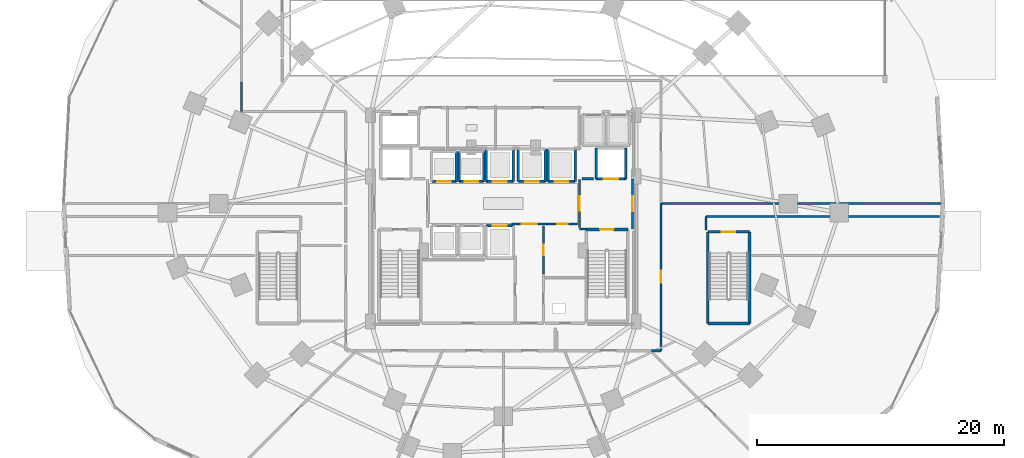
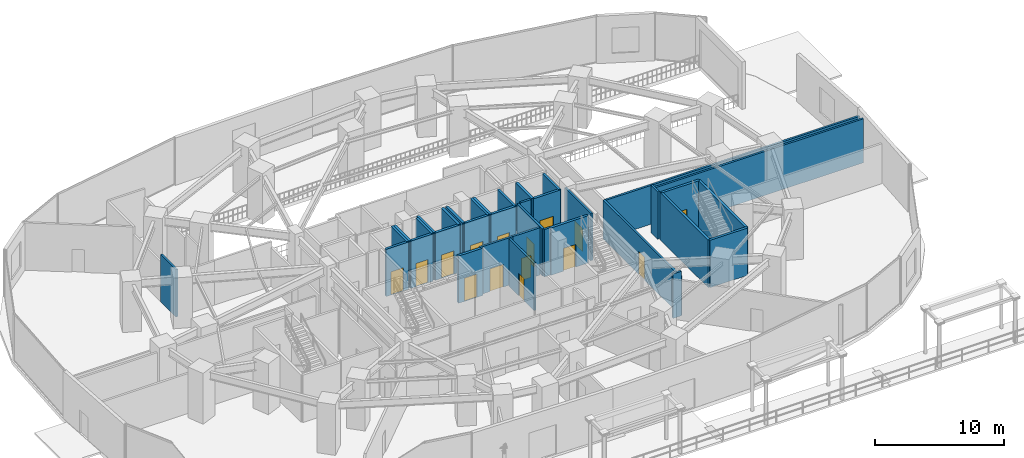
# One storey, part 28 of 36: 36 walls, 15 doors, 15 openings.
"""IFC4 building model written with IfcOpenShell, lengths in metres."""

from ifc_helpers import new_model, si_unit, direction, frame, frame_2d, origin, place, context, subcontext, project, spatial, rectangle, extrude, material, layer, layer_set, type_object, element, fill, save


model = new_model("IFC4")

# Units and contexts
model_context = context("Model", 3, precision=1e-05, world=origin(), true_north=direction((0.0, 1.0)))
body_context = subcontext(model_context, "Body", "Model", "MODEL_VIEW")
ifc_project = project(units=[si_unit("LENGTHUNIT", "METRE"), si_unit("AREAUNIT", "SQUARE_METRE"), si_unit("VOLUMEUNIT", "CUBIC_METRE"), si_unit("PLANEANGLEUNIT", "RADIAN"), si_unit("MASSUNIT", "GRAM", prefix="KILO")], contexts=[model_context])

# Site, building, storey
site_placement = place(None, origin())
site = spatial("IfcSite", under=ifc_project, at=site_placement, CompositionType="ELEMENT")
building_placement = place(site_placement, origin())
building = spatial("IfcBuilding", under=site, at=building_placement, Name="Vorneva Point Tower", CompositionType="ELEMENT")
storey_placement = place(building_placement, origin())
storey = spatial("IfcBuildingStorey", under=building, at=storey_placement, Name="L00", CompositionType="ELEMENT", Elevation=0.0)

# Wall, opening, door
ifc_material_1 = material(Name="Concrete B60 (C50/60)", Category="concrete")
ifc_layer_1 = layer(ifc_material_1, 0.5)
ifc_layer_set_1 = layer_set([ifc_layer_1], Name="Concrete B60 (C50/60)")
wall_type_1 = type_object("IfcWallType", Name="WL-CORE-500", PredefinedType="SHEAR", material=ifc_layer_set_1)
wall_1_placement = place(storey_placement, frame((45.5, 28.0, 0.0), z_axis=(0.0, 0.0, 1.0), x_axis=(1.0, 0.0, 0.0)))
wall_1 = element("IfcWall", 1, at=wall_1_placement, inside=storey, type_object=wall_type_1, Name="L00 Lift FFL2 Shaft Wall -Y", PredefinedType="SHEAR", context=body_context, shape_type="SweptSolid", body=[
    extrude(rectangle(XDim=2.39990234375, YDim=0.219970703125, at=frame_2d((1.199951171875, 0.0))), origin(), (0.0, 0.0, 1.0), 4.47998046875),
])
opening_1_placement = place(wall_1_placement, frame((0.60009765625, 0.0, 0.0)))
opening_1 = element("IfcOpeningElement", 2, at=opening_1_placement, cuts=wall_1, Name="Opening LD-02", PredefinedType="OPENING", context=body_context, shape_type="SweptSolid", body=[
    extrude(rectangle(XDim=1.199951171875, YDim=2.199951171875, at=frame_2d((0.60009765625, 1.10009765625))), frame((0.0, 0.125, 0.0), z_axis=(0.0, -1.0, 0.0), x_axis=(1.0, 0.0, 0.0)), (0.0, 0.0, 1.0), 0.249755859375),
])
ifc_material_2 = material(Name="Brushed stainless steel S304", Category="steel")
door_type_1 = type_object("IfcDoorType", Name="LD-FIRE-1200", OperationType="SLIDING_TO_LEFT", PredefinedType="DOOR", material=ifc_material_2)
door_1_placement = place(opening_1_placement, origin())
door_1 = element("IfcDoor", 3, at=door_1_placement, inside=storey, type_object=door_type_1, Name="L00 Lift FFL2 Sliding Landing Door", OperationType="SLIDING_TO_LEFT", OverallHeight=2.199951171875, OverallWidth=1.199951171875, PredefinedType="DOOR", context=body_context, shape_type="SweptSolid", body=[
    extrude(rectangle(XDim=1.199951171875, YDim=2.199951171875, at=frame_2d((0.60009765625, 1.10009765625))), frame((0.0, 0.02490234375, 0.0), z_axis=(0.0, -1.0, 0.0), x_axis=(1.0, 0.0, 0.0)), (0.0, 0.0, 1.0), 0.050048828125),
])
fill(opening_1, door_1)

# Walls
for number, where, z_axis, x_axis, name in (
    (4, (47.89990234375, 28.0, 0.0), (0.0, 0.0, 1.0), (0.0, 1.0, 0.0), "L00 Lift FFL2 Shaft Wall +X"),
    (5, (45.5, 30.5, 0.0), (0.0, 0.0, 1.0), (0.0, -1.0, 0.0), "L00 Lift FFL2 Shaft Wall -X"),
):
    element("IfcWall", number, at=place(storey_placement, frame(where, z_axis=z_axis, x_axis=x_axis)), inside=storey, type_object=wall_type_1, Name=name, PredefinedType="SHEAR", context=body_context, shape_type="SweptSolid", body=[
        extrude(rectangle(XDim=2.5, YDim=0.219970703125, at=frame_2d((1.25, 0.0))), origin(), (0.0, 0.0, 1.0), 4.47998046875),
    ])

# Wall, opening, door
ifc_material_3 = material(Name="Autoclaved aerated concrete blockwork", Category="masonry")
ifc_layer_2 = layer(ifc_material_3, 0.179931640625)
ifc_layer_set_2 = layer_set([ifc_layer_2], Name="Autoclaved aerated concrete blockwork")
wall_type_2 = type_object("IfcWallType", Name="WL-PART-180", PredefinedType="PARTITIONING", material=ifc_layer_set_2)
wall_2_placement = place(storey_placement, frame((44.14990234375, 27.955078125, 0.0), z_axis=(0.0, 0.0, 1.0), x_axis=(0.0, -1.0, 0.0)))
wall_2 = element("IfcWall", 6, at=wall_2_placement, inside=storey, type_object=wall_type_2, Name="L00 Interior Partition 003", PredefinedType="PARTITIONING", context=body_context, shape_type="SweptSolid", body=[
    extrude(rectangle(XDim=3.91015625, YDim=0.179931640625, at=frame_2d((1.955078125, 0.0))), origin(), (0.0, 0.0, 1.0), 4.47998046875),
])
opening_2_placement = place(wall_2_placement, frame((1.35498046875, 0.0, 0.0)))
opening_2 = element("IfcOpeningElement", 7, at=opening_2_placement, cuts=wall_2, Name="Opening FD-02", PredefinedType="OPENING", context=body_context, shape_type="SweptSolid", body=[
    extrude(rectangle(XDim=1.199951171875, YDim=2.14990234375, at=frame_2d((0.60009765625, 1.074951171875))), frame((0.0, 0.10498046875, 0.0), z_axis=(0.0, -1.0, 0.0), x_axis=(1.0, 0.0, 0.0)), (0.0, 0.0, 1.0), 0.209716796875),
])
ifc_material_4 = material(Name="Fire-rated powder-coated steel", Category="steel")
door_type_2 = type_object("IfcDoorType", Name="DR-FFL-1200", OperationType="NOTDEFINED", PredefinedType="DOOR", material=ifc_material_4)
door_2_placement = place(opening_2_placement, origin())
door_2 = element("IfcDoor", 8, at=door_2_placement, inside=storey, type_object=door_type_2, Name="L00 Door East Firefighting Lobby / Central Lift Lobby", OperationType="SINGLE_SWING_LEFT", OverallHeight=2.14990234375, OverallWidth=1.199951171875, PredefinedType="DOOR", context=body_context, shape_type="SweptSolid", body=[
    extrude(rectangle(XDim=1.199951171875, YDim=2.14990234375, at=frame_2d((0.60009765625, 1.074951171875))), frame((0.0, 0.02490234375, 0.0), z_axis=(0.0, -1.0, 0.0), x_axis=(1.0, 0.0, 0.0)), (0.0, 0.0, 1.0), 0.050048828125),
])
fill(opening_2, door_2)

# Wall
wall_3_placement = place(storey_placement, frame((44.14990234375, 23.949951171875, 0.0), z_axis=(0.0, 0.0, 1.0), x_axis=(1.0, 0.0, 0.0)))
element("IfcWall", 9, at=wall_3_placement, inside=storey, type_object=wall_type_2, Name="L00 Interior Partition 004", PredefinedType="PARTITIONING", context=body_context, shape_type="SweptSolid", body=[
    extrude(rectangle(XDim=0.5400390625, YDim=0.179931640625, at=frame_2d((0.27001953125, 0.0))), origin(), (0.0, 0.0, 1.0), 4.47998046875),
])

# Wall, opening, door
wall_4_placement = place(storey_placement, frame((48.449951171875, 23.949951171875, 0.0), z_axis=(0.0, 0.0, 1.0), x_axis=(0.0, 1.0, 0.0)))
wall_4 = element("IfcWall", 10, at=wall_4_placement, inside=storey, type_object=wall_type_2, Name="L00 Interior Partition 005", PredefinedType="PARTITIONING", context=body_context, shape_type="SweptSolid", body=[
    extrude(rectangle(XDim=4.050048828125, YDim=0.179931640625, at=frame_2d((2.02490234375, 0.0))), origin(), (0.0, 0.0, 1.0), 4.47998046875),
])
opening_3_placement = place(wall_4_placement, frame((1.425048828125, 0.0, 0.0)))
opening_3 = element("IfcOpeningElement", 11, at=opening_3_placement, cuts=wall_4, Name="Opening FD-02", PredefinedType="OPENING", context=body_context, shape_type="SweptSolid", body=[
    extrude(rectangle(XDim=1.199951171875, YDim=2.14990234375, at=frame_2d((0.60009765625, 1.074951171875))), frame((0.0, 0.10498046875, 0.0), z_axis=(0.0, -1.0, 0.0), x_axis=(1.0, 0.0, 0.0)), (0.0, 0.0, 1.0), 0.209716796875),
])
door_3_placement = place(opening_3_placement, origin())
door_3 = element("IfcDoor", 12, at=door_3_placement, inside=storey, type_object=door_type_2, Name="L00 Door East Firefighting Lobby / L00 Circulation Corridor", OperationType="SINGLE_SWING_LEFT", OverallHeight=2.14990234375, OverallWidth=1.199951171875, PredefinedType="DOOR", context=body_context, shape_type="SweptSolid", body=[
    extrude(rectangle(XDim=1.199951171875, YDim=2.14990234375, at=frame_2d((0.60009765625, 1.074951171875))), frame((0.0, 0.02490234375, 0.0), z_axis=(0.0, -1.0, 0.0), x_axis=(1.0, 0.0, 0.0)), (0.0, 0.0, 1.0), 0.050048828125),
])
fill(opening_3, door_3)

wall_5_placement = place(storey_placement, frame((38.64501953125, 24.35009765625, 0.0), z_axis=(0.0, 0.0, 1.0), x_axis=(1.0, 0.0, 0.0)))
wall_5 = element("IfcWall", 13, at=wall_5_placement, inside=storey, type_object=wall_type_2, Name="L00 Interior Partition 009", PredefinedType="PARTITIONING", context=body_context, shape_type="SweptSolid", body=[
    extrude(rectangle(XDim=2.909912109375, YDim=0.179931640625, at=frame_2d((1.455078125, 0.0))), origin(), (0.0, 0.0, 1.0), 4.47998046875),
])
opening_4_placement = place(wall_5_placement, frame((0.85498046875, 0.0, 0.0)))
opening_4 = element("IfcOpeningElement", 14, at=opening_4_placement, cuts=wall_5, Name="Opening FD-02", PredefinedType="OPENING", context=body_context, shape_type="SweptSolid", body=[
    extrude(rectangle(XDim=1.199951171875, YDim=2.14990234375, at=frame_2d((0.60009765625, 1.074951171875))), frame((0.0, 0.10498046875, 0.0), z_axis=(0.0, -1.0, 0.0), x_axis=(1.0, 0.0, 0.0)), (0.0, 0.0, 1.0), 0.209716796875),
])
door_4_placement = place(opening_4_placement, origin())
door_4 = element("IfcDoor", 15, at=door_4_placement, inside=storey, type_object=door_type_2, Name="L00 Door Central Lift Lobby / Core Service Lobby", OperationType="SINGLE_SWING_RIGHT", OverallHeight=2.14990234375, OverallWidth=1.199951171875, PredefinedType="DOOR", context=body_context, shape_type="SweptSolid", body=[
    extrude(rectangle(XDim=1.199951171875, YDim=2.14990234375, at=frame_2d((0.60009765625, 1.074951171875))), frame((0.0, 0.02490234375, 0.0), z_axis=(0.0, -1.0, 0.0), x_axis=(1.0, 0.0, 0.0)), (0.0, 0.0, 1.0), 0.050048828125),
])
fill(opening_4, door_4)

wall_6_placement = place(storey_placement, frame((41.554931640625, 24.35009765625, 0.0), z_axis=(0.0, 0.0, 1.0), x_axis=(1.0, 0.0, 0.0)))
wall_6 = element("IfcWall", 16, at=wall_6_placement, inside=storey, type_object=wall_type_2, Name="L00 Interior Partition 010", PredefinedType="PARTITIONING", context=body_context, shape_type="SweptSolid", body=[
    extrude(rectangle(XDim=2.445068359375, YDim=0.179931640625, at=frame_2d((1.22265625, 0.0))), origin(), (0.0, 0.0, 1.0), 4.47998046875),
])
opening_5_placement = place(wall_6_placement, frame((0.797607421875, 0.0, 0.0)))
opening_5 = element("IfcOpeningElement", 17, at=opening_5_placement, cuts=wall_6, Name="Opening ID-02", PredefinedType="OPENING", context=body_context, shape_type="SweptSolid", body=[
    extrude(rectangle(XDim=0.85009765625, YDim=2.10009765625, at=frame_2d((0.425048828125, 1.050048828125))), frame((0.0, 0.10498046875, 0.0), z_axis=(0.0, -1.0, 0.0), x_axis=(1.0, 0.0, 0.0)), (0.0, 0.0, 1.0), 0.209716796875),
])
ifc_material_5 = material(Name="Engineered oak fire-rated door leaf", Category="wood")
door_type_3 = type_object("IfcDoorType", Name="DR-BATH-850", OperationType="NOTDEFINED", PredefinedType="DOOR", material=ifc_material_5)
door_5_placement = place(opening_5_placement, origin())
door_5 = element("IfcDoor", 18, at=door_5_placement, inside=storey, type_object=door_type_3, Name="L00 Door Central Lift Lobby / Cleaners Store", OperationType="SINGLE_SWING_LEFT", OverallHeight=2.10009765625, OverallWidth=0.85009765625, PredefinedType="DOOR", context=body_context, shape_type="SweptSolid", body=[
    extrude(rectangle(XDim=0.85009765625, YDim=2.10009765625, at=frame_2d((0.425048828125, 1.050048828125))), frame((0.0, 0.02490234375, 0.0), z_axis=(0.0, -1.0, 0.0), x_axis=(1.0, 0.0, 0.0)), (0.0, 0.0, 1.0), 0.050048828125),
])
fill(opening_5, door_5)

wall_7_placement = place(storey_placement, frame((41.25, 20.304931640625, 0.0), z_axis=(0.0, 0.0, 1.0), x_axis=(0.0, 1.0, 0.0)))
wall_7 = element("IfcWall", 19, at=wall_7_placement, inside=storey, type_object=wall_type_2, Name="L00 Interior Partition 012", PredefinedType="PARTITIONING", context=body_context, shape_type="SweptSolid", body=[
    extrude(rectangle(XDim=3.89501953125, YDim=0.179931640625, at=frame_2d((1.947509765625, 0.0))), origin(), (0.0, 0.0, 1.0), 4.47998046875),
])
opening_6_placement = place(wall_7_placement, frame((1.5224609375, 0.0, 0.0)))
opening_6 = element("IfcOpeningElement", 20, at=opening_6_placement, cuts=wall_7, Name="Opening ID-02", PredefinedType="OPENING", context=body_context, shape_type="SweptSolid", body=[
    extrude(rectangle(XDim=0.85009765625, YDim=2.10009765625, at=frame_2d((0.425048828125, 1.050048828125))), frame((0.0, 0.10498046875, 0.0), z_axis=(0.0, -1.0, 0.0), x_axis=(1.0, 0.0, 0.0)), (0.0, 0.0, 1.0), 0.209716796875),
])
door_6_placement = place(opening_6_placement, origin())
door_6 = element("IfcDoor", 21, at=door_6_placement, inside=storey, type_object=door_type_3, Name="L00 Door Core Service Lobby / Cleaners Store", OperationType="SINGLE_SWING_LEFT", OverallHeight=2.10009765625, OverallWidth=0.85009765625, PredefinedType="DOOR", context=body_context, shape_type="SweptSolid", body=[
    extrude(rectangle(XDim=0.85009765625, YDim=2.10009765625, at=frame_2d((0.425048828125, 1.050048828125))), frame((0.0, 0.02490234375, 0.0), z_axis=(0.0, -1.0, 0.0), x_axis=(1.0, 0.0, 0.0)), (0.0, 0.0, 1.0), 0.050048828125),
])
fill(opening_6, door_6)

# Wall
wall_8_placement = place(storey_placement, frame((49.985107421875, 14.10009765625, 0.0), z_axis=(0.0, 0.0, 1.0), x_axis=(1.0, 0.0, 0.0)))
element("IfcWall", 22, at=wall_8_placement, inside=storey, type_object=wall_type_2, Name="L00 Interior Partition 030", PredefinedType="PARTITIONING", context=body_context, shape_type="SweptSolid", body=[
    extrude(rectangle(XDim=0.764892578125, YDim=0.179931640625, at=frame_2d((0.38232421875, 0.0))), origin(), (0.0, 0.0, 1.0), 4.2119140625),
])

# Wall, opening, door
wall_9_placement = place(storey_placement, frame((50.75, 14.10009765625, 0.0), z_axis=(0.0, 0.0, 1.0), x_axis=(0.0, 1.0, 0.0)))
wall_9 = element("IfcWall", 23, at=wall_9_placement, inside=storey, type_object=wall_type_2, Name="L00 Interior Partition 031", PredefinedType="PARTITIONING", context=body_context, shape_type="SweptSolid", body=[
    extrude(rectangle(XDim=11.9599609375, YDim=0.179931640625, at=frame_2d((5.97998046875, 0.0))), origin(), (0.0, 0.0, 1.0), 3.672119140625),
])
opening_7_placement = place(wall_9_placement, frame((5.47998046875, 0.0, 0.0)))
opening_7 = element("IfcOpeningElement", 24, at=opening_7_placement, cuts=wall_9, Name="Opening UD-01", PredefinedType="OPENING", context=body_context, shape_type="SweptSolid", body=[
    extrude(rectangle(XDim=1.0, YDim=2.14990234375, at=frame_2d((0.5, 1.074951171875))), frame((0.0, 0.10498046875, 0.0), z_axis=(0.0, -1.0, 0.0), x_axis=(1.0, 0.0, 0.0)), (0.0, 0.0, 1.0), 0.209716796875),
])
door_type_4 = type_object("IfcDoorType", Name="DR-UNIT-1000", OperationType="NOTDEFINED", PredefinedType="DOOR", material=ifc_material_5)
door_7_placement = place(opening_7_placement, origin())
door_7 = element("IfcDoor", 25, at=door_7_placement, inside=storey, type_object=door_type_4, Name="L00 Door L00 Circulation Corridor / Harbour Restaurant", OperationType="SINGLE_SWING_LEFT", OverallHeight=2.14990234375, OverallWidth=1.0, PredefinedType="DOOR", context=body_context, shape_type="SweptSolid", body=[
    extrude(rectangle(XDim=1.0, YDim=2.14990234375, at=frame_2d((0.5, 1.074951171875))), frame((0.0, 0.02490234375, 0.0), z_axis=(0.0, -1.0, 0.0), x_axis=(1.0, 0.0, 0.0)), (0.0, 0.0, 1.0), 0.050048828125),
])
fill(opening_7, door_7)

# Walls
wall_10_placement = place(storey_placement, frame((16.800048828125, 35.85009765625, 0.0), z_axis=(0.0, 0.0, 1.0), x_axis=(0.0, -1.0, 0.0)))
element("IfcWall", 26, at=wall_10_placement, inside=storey, type_object=wall_type_2, Name="L00 Interior Partition 038", PredefinedType="PARTITIONING", context=body_context, shape_type="SweptSolid", body=[
    extrude(rectangle(XDim=2.400146484375, YDim=0.179931640625, at=frame_2d((1.2001953125, 0.0))), origin(), (0.0, 0.0, 1.0), 4.47998046875),
])
wall_11_placement = place(storey_placement, frame((73.577880859375, 26.0, 0.0), z_axis=(0.0, 0.0, 1.0), x_axis=(-1.0, 0.0, 0.0)))
element("IfcWall", 27, at=wall_11_placement, inside=storey, type_object=wall_type_2, Name="L00 Interior Partition 049", PredefinedType="PARTITIONING", context=body_context, shape_type="SweptSolid", body=[
    extrude(rectangle(XDim=22.827880859375, YDim=0.179931640625, at=frame_2d((11.4140625, 0.0))), origin(), (0.0, 0.0, 1.0), 3.672119140625),
])
wall_12_placement = place(storey_placement, frame((45.280029296875, 28.0, 0.0), z_axis=(0.0, 0.0, 1.0), x_axis=(-1.0, 0.0, 0.0)))
element("IfcWall", 28, at=wall_12_placement, inside=storey, type_object=wall_type_2, Name="L00 Interior Closure Partition 052", PredefinedType="PARTITIONING", context=body_context, shape_type="SweptSolid", body=[
    extrude(rectangle(XDim=0.9150390625, YDim=0.179931640625, at=frame_2d((0.45751953125, 0.0))), origin(), (0.0, 0.0, 1.0), 4.47998046875),
])
wall_13_placement = place(storey_placement, frame((54.39990234375, 24.949951171875, 0.0), z_axis=(0.0, 0.0, 1.0), x_axis=(0.0, -1.0, 0.0)))
element("IfcWall", 29, at=wall_13_placement, inside=storey, type_object=wall_type_2, Name="L00 Interior Closure Partition 074", PredefinedType="PARTITIONING", context=body_context, shape_type="SweptSolid", body=[
    extrude(rectangle(XDim=1.070068359375, YDim=0.179931640625, at=frame_2d((0.53515625, 0.0))), origin(), (0.0, 0.0, 1.0), 4.47998046875),
])
wall_14_placement = place(storey_placement, frame((73.2880859375, 24.949951171875, 0.0), z_axis=(0.0, 0.0, 1.0), x_axis=(-1.0, 0.0, 0.0)))
element("IfcWall", 30, at=wall_14_placement, inside=storey, type_object=wall_type_2, Name="L00 Interior Closure Partition 076", PredefinedType="PARTITIONING", context=body_context, shape_type="SweptSolid", body=[
    extrude(rectangle(XDim=18.88818359375, YDim=0.179931640625, at=frame_2d((9.444091796875, 0.0))), origin(), (0.0, 0.0, 1.0), 4.162109375),
])

# Wall, opening, door
ifc_material_6 = material(Name="Concrete B50 (C40/50)", Category="concrete")
ifc_layer_3 = layer(ifc_material_6, 0.219970703125)
ifc_layer_set_3 = layer_set([ifc_layer_3], Name="Concrete B50 (C40/50)")
wall_type_3 = type_object("IfcWallType", Name="WL-SHFT-220", PredefinedType="SOLIDWALL", material=ifc_layer_set_3)
wall_15_placement = place(storey_placement, frame((44.68994140625, 23.909912109375, 0.0), z_axis=(0.0, 0.0, 1.0), x_axis=(1.0, 0.0, 0.0)))
wall_15 = element("IfcWall", 31, at=wall_15_placement, inside=storey, type_object=wall_type_3, Name="L00 Exit Stair ST2 Shaft Wall near", PredefinedType="SOLIDWALL", context=body_context, shape_type="SweptSolid", body=[
    extrude(rectangle(XDim=3.3701171875, YDim=0.219970703125, at=frame_2d((1.68505859375, 0.0))), origin(), (0.0, 0.0, 1.0), 4.47998046875),
])
opening_8_placement = place(wall_15_placement, frame((1.135009765625, 0.0, 0.0)))
opening_8 = element("IfcOpeningElement", 32, at=opening_8_placement, cuts=wall_15, Name="Opening FD-01", PredefinedType="OPENING", context=body_context, shape_type="SweptSolid", body=[
    extrude(rectangle(XDim=1.10009765625, YDim=2.14990234375, at=frame_2d((0.550048828125, 1.074951171875))), frame((0.0, 0.125, 0.0), z_axis=(0.0, -1.0, 0.0), x_axis=(1.0, 0.0, 0.0)), (0.0, 0.0, 1.0), 0.249755859375),
])
door_type_5 = type_object("IfcDoorType", Name="DR-STAIR-1100", OperationType="NOTDEFINED", PredefinedType="DOOR", material=ifc_material_4)
door_8_placement = place(opening_8_placement, origin())
door_8 = element("IfcDoor", 33, at=door_8_placement, inside=storey, type_object=door_type_5, Name="L00 Exit Stair ST2 Fire Door", OperationType="SINGLE_SWING_LEFT", OverallHeight=2.14990234375, OverallWidth=1.10009765625, PredefinedType="DOOR", context=body_context, shape_type="SweptSolid", body=[
    extrude(rectangle(XDim=1.10009765625, YDim=2.14990234375, at=frame_2d((0.550048828125, 1.074951171875))), frame((0.0, 0.02490234375, 0.0), z_axis=(0.0, -1.0, 0.0), x_axis=(1.0, 0.0, 0.0)), (0.0, 0.0, 1.0), 0.050048828125),
])
fill(opening_8, door_8)

wall_16_placement = place(storey_placement, frame((54.5400390625, 23.7099609375, 0.0), z_axis=(0.0, 0.0, 1.0), x_axis=(1.0, 0.0, 0.0)))
wall_16 = element("IfcWall", 34, at=wall_16_placement, inside=storey, type_object=wall_type_3, Name="L00 Exit Stair ST4 Shaft Wall near", PredefinedType="SOLIDWALL", context=body_context, shape_type="SweptSolid", body=[
    extrude(rectangle(XDim=3.369873046875, YDim=0.219970703125, at=frame_2d((1.68505859375, 0.0))), origin(), (0.0, 0.0, 1.0), 4.47998046875),
])
opening_9_placement = place(wall_16_placement, frame((1.135009765625, 0.0, 0.0)))
opening_9 = element("IfcOpeningElement", 35, at=opening_9_placement, cuts=wall_16, Name="Opening FD-01", PredefinedType="OPENING", context=body_context, shape_type="SweptSolid", body=[
    extrude(rectangle(XDim=1.10009765625, YDim=2.14990234375, at=frame_2d((0.550048828125, 1.074951171875))), frame((0.0, 0.125, 0.0), z_axis=(0.0, -1.0, 0.0), x_axis=(1.0, 0.0, 0.0)), (0.0, 0.0, 1.0), 0.249755859375),
])
door_9_placement = place(opening_9_placement, origin())
door_9 = element("IfcDoor", 36, at=door_9_placement, inside=storey, type_object=door_type_5, Name="L00 Exit Stair ST4 Fire Door", OperationType="SINGLE_SWING_LEFT", OverallHeight=2.14990234375, OverallWidth=1.10009765625, PredefinedType="DOOR", context=body_context, shape_type="SweptSolid", body=[
    extrude(rectangle(XDim=1.10009765625, YDim=2.14990234375, at=frame_2d((0.550048828125, 1.074951171875))), frame((0.0, 0.02490234375, 0.0), z_axis=(0.0, -1.0, 0.0), x_axis=(1.0, 0.0, 0.0)), (0.0, 0.0, 1.0), 0.050048828125),
])
fill(opening_9, door_9)

# Walls
wall_17_placement = place(storey_placement, frame((57.909912109375, 23.7099609375, 0.0), z_axis=(0.0, 0.0, 1.0), x_axis=(0.0, -1.0, 0.0)))
element("IfcWall", 37, at=wall_17_placement, inside=storey, type_object=wall_type_3, Name="L00 Exit Stair ST4 Shaft Wall right", PredefinedType="SOLIDWALL", context=body_context, shape_type="SweptSolid", body=[
    extrude(rectangle(XDim=7.419921875, YDim=0.219970703125, at=frame_2d((3.7099609375, 0.0))), origin(), (0.0, 0.0, 1.0), 4.47998046875),
])
wall_18_placement = place(storey_placement, frame((57.909912109375, 16.2900390625, 0.0), z_axis=(0.0, 0.0, 1.0), x_axis=(-1.0, 0.0, 0.0)))
element("IfcWall", 38, at=wall_18_placement, inside=storey, type_object=wall_type_3, Name="L00 Exit Stair ST4 Shaft Wall far", PredefinedType="SOLIDWALL", context=body_context, shape_type="SweptSolid", body=[
    extrude(rectangle(XDim=3.369873046875, YDim=0.219970703125, at=frame_2d((1.68505859375, 0.0))), origin(), (0.0, 0.0, 1.0), 4.47998046875),
])
wall_19_placement = place(storey_placement, frame((54.5400390625, 16.2900390625, 0.0), z_axis=(0.0, 0.0, 1.0), x_axis=(0.0, 1.0, 0.0)))
element("IfcWall", 39, at=wall_19_placement, inside=storey, type_object=wall_type_3, Name="L00 Exit Stair ST4 Shaft Wall left", PredefinedType="SOLIDWALL", context=body_context, shape_type="SweptSolid", body=[
    extrude(rectangle(XDim=7.419921875, YDim=0.219970703125, at=frame_2d((3.7099609375, 0.0))), origin(), (0.0, 0.0, 1.0), 4.47998046875),
])

# Wall, opening, door
wall_20_placement = place(storey_placement, frame((32.199951171875, 27.800048828125, 0.0), z_axis=(0.0, 0.0, 1.0), x_axis=(1.0, 0.0, 0.0)))
wall_20 = element("IfcWall", 40, at=wall_20_placement, inside=storey, type_object=wall_type_3, Name="L00 Lift PL1 Shaft Wall -Y", PredefinedType="SOLIDWALL", context=body_context, shape_type="SweptSolid", body=[
    extrude(rectangle(XDim=2.0, YDim=0.219970703125, at=frame_2d((1.0, 0.0))), origin(), (0.0, 0.0, 1.0), 4.47998046875),
])
opening_10_placement = place(wall_20_placement, frame((0.449951171875, 0.0, 0.0)))
opening_10 = element("IfcOpeningElement", 41, at=opening_10_placement, cuts=wall_20, Name="Opening LD-01", PredefinedType="OPENING", context=body_context, shape_type="SweptSolid", body=[
    extrude(rectangle(XDim=1.10009765625, YDim=2.199951171875, at=frame_2d((0.550048828125, 1.10009765625))), frame((0.0, 0.125, 0.0), z_axis=(0.0, -1.0, 0.0), x_axis=(1.0, 0.0, 0.0)), (0.0, 0.0, 1.0), 0.249755859375),
])
door_type_6 = type_object("IfcDoorType", Name="LD-PASS-1100", OperationType="SLIDING_TO_LEFT", PredefinedType="DOOR", material=ifc_material_2)
door_10_placement = place(opening_10_placement, origin())
door_10 = element("IfcDoor", 42, at=door_10_placement, inside=storey, type_object=door_type_6, Name="L00 Lift PL1 Sliding Landing Door", OperationType="SLIDING_TO_LEFT", OverallHeight=2.199951171875, OverallWidth=1.10009765625, PredefinedType="DOOR", context=body_context, shape_type="SweptSolid", body=[
    extrude(rectangle(XDim=1.10009765625, YDim=2.199951171875, at=frame_2d((0.550048828125, 1.10009765625))), frame((0.0, 0.02490234375, 0.0), z_axis=(0.0, -1.0, 0.0), x_axis=(1.0, 0.0, 0.0)), (0.0, 0.0, 1.0), 0.050048828125),
])
fill(opening_10, door_10)

# Wall
wall_21_placement = place(storey_placement, frame((34.199951171875, 27.800048828125, 0.0), z_axis=(0.0, 0.0, 1.0), x_axis=(0.0, 1.0, 0.0)))
element("IfcWall", 43, at=wall_21_placement, inside=storey, type_object=wall_type_3, Name="L00 Lift PL1 Shaft Wall +X", PredefinedType="SOLIDWALL", context=body_context, shape_type="SweptSolid", body=[
    extrude(rectangle(XDim=2.39990234375, YDim=0.219970703125, at=frame_2d((1.199951171875, 0.0))), origin(), (0.0, 0.0, 1.0), 4.47998046875),
])

# Wall, opening, door
wall_22_placement = place(storey_placement, frame((34.39990234375, 27.800048828125, 0.0), z_axis=(0.0, 0.0, 1.0), x_axis=(1.0, 0.0, 0.0)))
wall_22 = element("IfcWall", 44, at=wall_22_placement, inside=storey, type_object=wall_type_3, Name="L00 Lift PL2 Shaft Wall -Y", PredefinedType="SOLIDWALL", context=body_context, shape_type="SweptSolid", body=[
    extrude(rectangle(XDim=2.0, YDim=0.219970703125, at=frame_2d((1.0, 0.0))), origin(), (0.0, 0.0, 1.0), 4.47998046875),
])
opening_11_placement = place(wall_22_placement, frame((0.449951171875, 0.0, 0.0)))
opening_11 = element("IfcOpeningElement", 45, at=opening_11_placement, cuts=wall_22, Name="Opening LD-01", PredefinedType="OPENING", context=body_context, shape_type="SweptSolid", body=[
    extrude(rectangle(XDim=1.10009765625, YDim=2.199951171875, at=frame_2d((0.550048828125, 1.10009765625))), frame((0.0, 0.125, 0.0), z_axis=(0.0, -1.0, 0.0), x_axis=(1.0, 0.0, 0.0)), (0.0, 0.0, 1.0), 0.249755859375),
])
door_11_placement = place(opening_11_placement, origin())
door_11 = element("IfcDoor", 46, at=door_11_placement, inside=storey, type_object=door_type_6, Name="L00 Lift PL2 Sliding Landing Door", OperationType="SLIDING_TO_LEFT", OverallHeight=2.199951171875, OverallWidth=1.10009765625, PredefinedType="DOOR", context=body_context, shape_type="SweptSolid", body=[
    extrude(rectangle(XDim=1.10009765625, YDim=2.199951171875, at=frame_2d((0.550048828125, 1.10009765625))), frame((0.0, 0.02490234375, 0.0), z_axis=(0.0, -1.0, 0.0), x_axis=(1.0, 0.0, 0.0)), (0.0, 0.0, 1.0), 0.050048828125),
])
fill(opening_11, door_11)

# Walls
for number, where, z_axis, x_axis, name in (
    (47, (36.39990234375, 27.800048828125, 0.0), (0.0, 0.0, 1.0), (0.0, 1.0, 0.0), "L00 Lift PL2 Shaft Wall +X"),
    (48, (34.39990234375, 30.199951171875, 0.0), (0.0, 0.0, 1.0), (0.0, -1.0, 0.0), "L00 Lift PL2 Shaft Wall -X"),
):
    element("IfcWall", number, at=place(storey_placement, frame(where, z_axis=z_axis, x_axis=x_axis)), inside=storey, type_object=wall_type_3, Name=name, PredefinedType="SOLIDWALL", context=body_context, shape_type="SweptSolid", body=[
        extrude(rectangle(XDim=2.39990234375, YDim=0.219970703125, at=frame_2d((1.199951171875, 0.0))), origin(), (0.0, 0.0, 1.0), 4.47998046875),
    ])

# Wall, opening, door
wall_23_placement = place(storey_placement, frame((36.60009765625, 27.800048828125, 0.0), z_axis=(0.0, 0.0, 1.0), x_axis=(1.0, 0.0, 0.0)))
wall_23 = element("IfcWall", 49, at=wall_23_placement, inside=storey, type_object=wall_type_3, Name="L00 Lift PL3 Shaft Wall -Y", PredefinedType="SOLIDWALL", context=body_context, shape_type="SweptSolid", body=[
    extrude(rectangle(XDim=2.199951171875, YDim=0.219970703125, at=frame_2d((1.10009765625, 0.0))), origin(), (0.0, 0.0, 1.0), 4.47998046875),
])
opening_12_placement = place(wall_23_placement, frame((0.550048828125, 0.0, 0.0)))
opening_12 = element("IfcOpeningElement", 50, at=opening_12_placement, cuts=wall_23, Name="Opening LD-01", PredefinedType="OPENING", context=body_context, shape_type="SweptSolid", body=[
    extrude(rectangle(XDim=1.10009765625, YDim=2.199951171875, at=frame_2d((0.550048828125, 1.10009765625))), frame((0.0, 0.125, 0.0), z_axis=(0.0, -1.0, 0.0), x_axis=(1.0, 0.0, 0.0)), (0.0, 0.0, 1.0), 0.249755859375),
])
door_12_placement = place(opening_12_placement, origin())
door_12 = element("IfcDoor", 51, at=door_12_placement, inside=storey, type_object=door_type_6, Name="L00 Lift PL3 Sliding Landing Door", OperationType="SLIDING_TO_LEFT", OverallHeight=2.199951171875, OverallWidth=1.10009765625, PredefinedType="DOOR", context=body_context, shape_type="SweptSolid", body=[
    extrude(rectangle(XDim=1.10009765625, YDim=2.199951171875, at=frame_2d((0.550048828125, 1.10009765625))), frame((0.0, 0.02490234375, 0.0), z_axis=(0.0, -1.0, 0.0), x_axis=(1.0, 0.0, 0.0)), (0.0, 0.0, 1.0), 0.050048828125),
])
fill(opening_12, door_12)

# Walls
for number, where, z_axis, x_axis, name in (
    (52, (38.800048828125, 27.800048828125, 0.0), (0.0, 0.0, 1.0), (0.0, 1.0, 0.0), "L00 Lift PL3 Shaft Wall +X"),
    (53, (36.60009765625, 30.39990234375, 0.0), (0.0, 0.0, 1.0), (0.0, -1.0, 0.0), "L00 Lift PL3 Shaft Wall -X"),
):
    element("IfcWall", number, at=place(storey_placement, frame(where, z_axis=z_axis, x_axis=x_axis)), inside=storey, type_object=wall_type_3, Name=name, PredefinedType="SOLIDWALL", context=body_context, shape_type="SweptSolid", body=[
        extrude(rectangle(XDim=2.599853515625, YDim=0.219970703125, at=frame_2d((1.2998046875, 0.0))), origin(), (0.0, 0.0, 1.0), 4.47998046875),
    ])

# Wall, opening, door
wall_24_placement = place(storey_placement, frame((38.800048828125, 24.199951171875, 0.0), z_axis=(0.0, 0.0, 1.0), x_axis=(-1.0, 0.0, 0.0)))
wall_24 = element("IfcWall", 54, at=wall_24_placement, inside=storey, type_object=wall_type_3, Name="L00 Lift PL6 Shaft Wall +Y", PredefinedType="SOLIDWALL", context=body_context, shape_type="SweptSolid", body=[
    extrude(rectangle(XDim=2.199951171875, YDim=0.219970703125, at=frame_2d((1.10009765625, 0.0))), origin(), (0.0, 0.0, 1.0), 4.47998046875),
])
opening_13_placement = place(wall_24_placement, frame((0.550048828125, 0.0, 0.0)))
opening_13 = element("IfcOpeningElement", 55, at=opening_13_placement, cuts=wall_24, Name="Opening LD-01", PredefinedType="OPENING", context=body_context, shape_type="SweptSolid", body=[
    extrude(rectangle(XDim=1.10009765625, YDim=2.199951171875, at=frame_2d((0.550048828125, 1.10009765625))), frame((0.0, 0.125, 0.0), z_axis=(0.0, -1.0, 0.0), x_axis=(1.0, 0.0, 0.0)), (0.0, 0.0, 1.0), 0.249755859375),
])
door_13_placement = place(opening_13_placement, origin())
door_13 = element("IfcDoor", 56, at=door_13_placement, inside=storey, type_object=door_type_6, Name="L00 Lift PL6 Sliding Landing Door", OperationType="SLIDING_TO_LEFT", OverallHeight=2.199951171875, OverallWidth=1.10009765625, PredefinedType="DOOR", context=body_context, shape_type="SweptSolid", body=[
    extrude(rectangle(XDim=1.10009765625, YDim=2.199951171875, at=frame_2d((0.550048828125, 1.10009765625))), frame((0.0, 0.02490234375, 0.0), z_axis=(0.0, -1.0, 0.0), x_axis=(1.0, 0.0, 0.0)), (0.0, 0.0, 1.0), 0.050048828125),
])
fill(opening_13, door_13)

wall_25_placement = place(storey_placement, frame((39.199951171875, 27.800048828125, 0.0), z_axis=(0.0, 0.0, 1.0), x_axis=(1.0, 0.0, 0.0)))
wall_25 = element("IfcWall", 57, at=wall_25_placement, inside=storey, type_object=wall_type_3, Name="L00 Lift PL7 Shaft Wall -Y", PredefinedType="SOLIDWALL", context=body_context, shape_type="SweptSolid", body=[
    extrude(rectangle(XDim=2.199951171875, YDim=0.219970703125, at=frame_2d((1.10009765625, 0.0))), origin(), (0.0, 0.0, 1.0), 4.47998046875),
])
opening_14_placement = place(wall_25_placement, frame((0.550048828125, 0.0, 0.0)))
opening_14 = element("IfcOpeningElement", 58, at=opening_14_placement, cuts=wall_25, Name="Opening LD-01", PredefinedType="OPENING", context=body_context, shape_type="SweptSolid", body=[
    extrude(rectangle(XDim=1.10009765625, YDim=2.199951171875, at=frame_2d((0.550048828125, 1.10009765625))), frame((0.0, 0.125, 0.0), z_axis=(0.0, -1.0, 0.0), x_axis=(1.0, 0.0, 0.0)), (0.0, 0.0, 1.0), 0.249755859375),
])
door_14_placement = place(opening_14_placement, origin())
door_14 = element("IfcDoor", 59, at=door_14_placement, inside=storey, type_object=door_type_6, Name="L00 Lift PL7 Sliding Landing Door", OperationType="SLIDING_TO_LEFT", OverallHeight=2.199951171875, OverallWidth=1.10009765625, PredefinedType="DOOR", context=body_context, shape_type="SweptSolid", body=[
    extrude(rectangle(XDim=1.10009765625, YDim=2.199951171875, at=frame_2d((0.550048828125, 1.10009765625))), frame((0.0, 0.02490234375, 0.0), z_axis=(0.0, -1.0, 0.0), x_axis=(1.0, 0.0, 0.0)), (0.0, 0.0, 1.0), 0.050048828125),
])
fill(opening_14, door_14)

# Walls
for number, where, z_axis, x_axis, name in (
    (60, (41.39990234375, 27.800048828125, 0.0), (0.0, 0.0, 1.0), (0.0, 1.0, 0.0), "L00 Lift PL7 Shaft Wall +X"),
    (61, (39.199951171875, 30.39990234375, 0.0), (0.0, 0.0, 1.0), (0.0, -1.0, 0.0), "L00 Lift PL7 Shaft Wall -X"),
):
    element("IfcWall", number, at=place(storey_placement, frame(where, z_axis=z_axis, x_axis=x_axis)), inside=storey, type_object=wall_type_3, Name=name, PredefinedType="SOLIDWALL", context=body_context, shape_type="SweptSolid", body=[
        extrude(rectangle(XDim=2.599853515625, YDim=0.219970703125, at=frame_2d((1.2998046875, 0.0))), origin(), (0.0, 0.0, 1.0), 4.47998046875),
    ])

# Wall, opening, door
wall_26_placement = place(storey_placement, frame((41.60009765625, 27.800048828125, 0.0), z_axis=(0.0, 0.0, 1.0), x_axis=(1.0, 0.0, 0.0)))
wall_26 = element("IfcWall", 62, at=wall_26_placement, inside=storey, type_object=wall_type_3, Name="L00 Lift PL8 Shaft Wall -Y", PredefinedType="SOLIDWALL", context=body_context, shape_type="SweptSolid", body=[
    extrude(rectangle(XDim=2.199951171875, YDim=0.219970703125, at=frame_2d((1.10009765625, 0.0))), origin(), (0.0, 0.0, 1.0), 4.47998046875),
])
opening_15_placement = place(wall_26_placement, frame((0.550048828125, 0.0, 0.0)))
opening_15 = element("IfcOpeningElement", 63, at=opening_15_placement, cuts=wall_26, Name="Opening LD-01", PredefinedType="OPENING", context=body_context, shape_type="SweptSolid", body=[
    extrude(rectangle(XDim=1.10009765625, YDim=2.199951171875, at=frame_2d((0.550048828125, 1.10009765625))), frame((0.0, 0.125, 0.0), z_axis=(0.0, -1.0, 0.0), x_axis=(1.0, 0.0, 0.0)), (0.0, 0.0, 1.0), 0.249755859375),
])
door_15_placement = place(opening_15_placement, origin())
door_15 = element("IfcDoor", 64, at=door_15_placement, inside=storey, type_object=door_type_6, Name="L00 Lift PL8 Sliding Landing Door", OperationType="SLIDING_TO_LEFT", OverallHeight=2.199951171875, OverallWidth=1.10009765625, PredefinedType="DOOR", context=body_context, shape_type="SweptSolid", body=[
    extrude(rectangle(XDim=1.10009765625, YDim=2.199951171875, at=frame_2d((0.550048828125, 1.10009765625))), frame((0.0, 0.02490234375, 0.0), z_axis=(0.0, -1.0, 0.0), x_axis=(1.0, 0.0, 0.0)), (0.0, 0.0, 1.0), 0.050048828125),
])
fill(opening_15, door_15)

# Walls
for number, where, z_axis, x_axis, name in (
    (65, (43.800048828125, 27.800048828125, 0.0), (0.0, 0.0, 1.0), (0.0, 1.0, 0.0), "L00 Lift PL8 Shaft Wall +X"),
    (66, (41.60009765625, 30.39990234375, 0.0), (0.0, 0.0, 1.0), (0.0, -1.0, 0.0), "L00 Lift PL8 Shaft Wall -X"),
):
    element("IfcWall", number, at=place(storey_placement, frame(where, z_axis=z_axis, x_axis=x_axis)), inside=storey, type_object=wall_type_3, Name=name, PredefinedType="SOLIDWALL", context=body_context, shape_type="SweptSolid", body=[
        extrude(rectangle(XDim=2.599853515625, YDim=0.219970703125, at=frame_2d((1.2998046875, 0.0))), origin(), (0.0, 0.0, 1.0), 4.47998046875),
    ])

save(model, "model.ifc")
